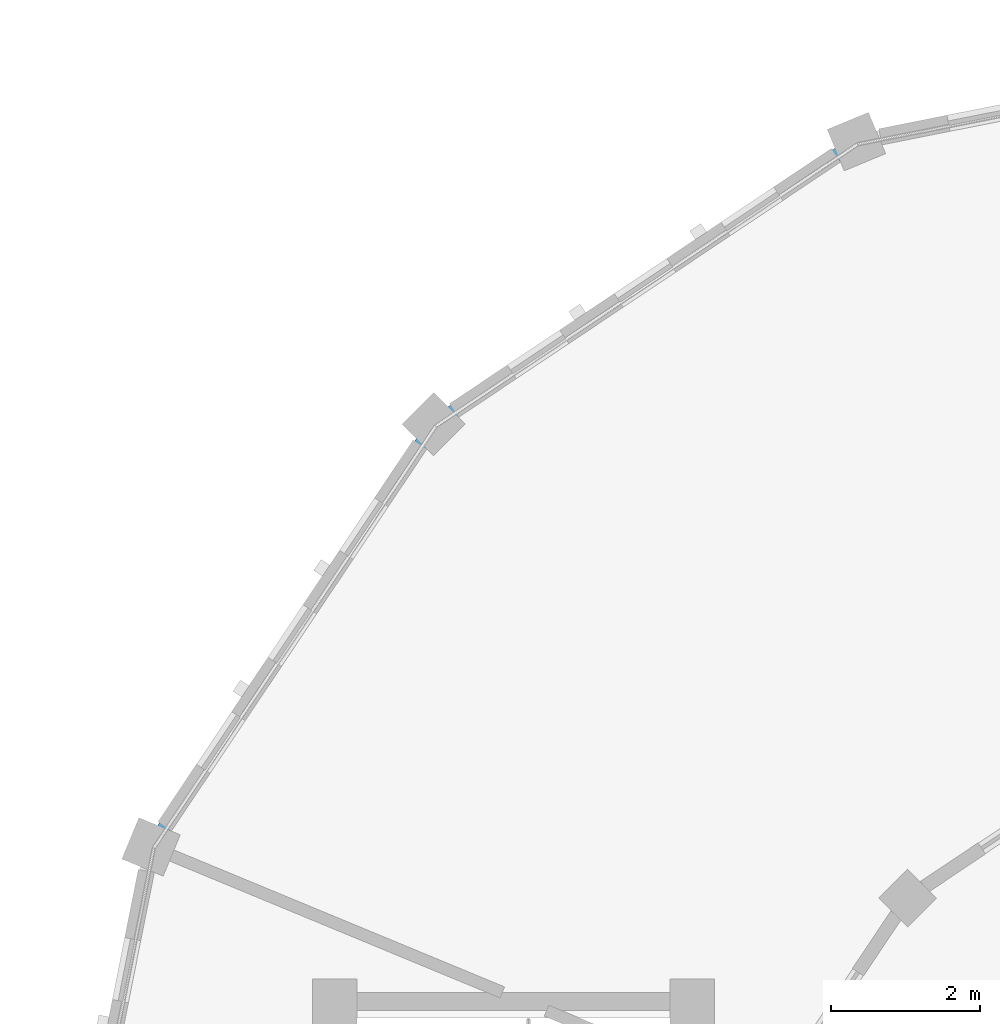
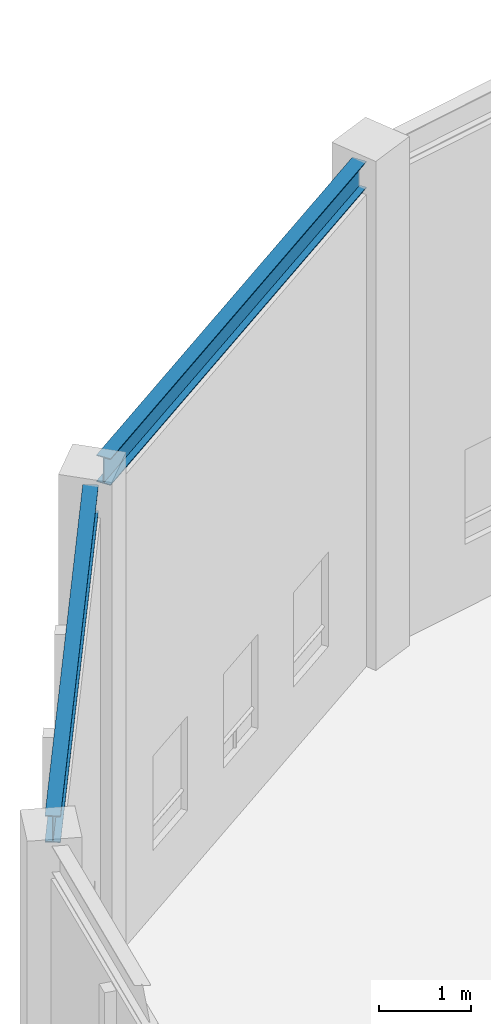
# One storey, part 78 of 149: 2 beams.
"""IFC4 building model written with IfcOpenShell, lengths in metres."""

from ifc_helpers import new_model, si_unit, direction, frame, origin, origin_2d, place, context, subcontext, project, spatial, i_section, extrude, material, material_profile, profile_set, type_object, element, save


model = new_model("IFC4")

# Units and contexts
model_context = context("Model", 3, precision=1e-05, world=origin(), true_north=direction((0.0, 1.0)))
body_context = subcontext(model_context, "Body", "Model", "MODEL_VIEW")
ifc_project = project(units=[si_unit("LENGTHUNIT", "METRE"), si_unit("AREAUNIT", "SQUARE_METRE"), si_unit("VOLUMEUNIT", "CUBIC_METRE"), si_unit("PLANEANGLEUNIT", "RADIAN"), si_unit("MASSUNIT", "GRAM", prefix="KILO")], contexts=[model_context])

# Site, building, storey
site_placement = place(None, origin())
site = spatial("IfcSite", under=ifc_project, at=site_placement, CompositionType="ELEMENT")
building_placement = place(site_placement, origin())
building = spatial("IfcBuilding", under=site, at=building_placement, Name="Celadon Cloister-Ring School", CompositionType="ELEMENT")
storey_placement = place(building_placement, frame((0.0, 0.0, 12.5)))
storey = spatial("IfcBuildingStorey", under=building, at=storey_placement, Name="L03", CompositionType="ELEMENT", Elevation=12.5)

# Beams
ifc_material = material(Name="Structural steel S355JR", Category="steel")
ifc_material_profile = material_profile(ifc_material, i_section(OverallWidth=0.1708984375, OverallDepth=0.35498046875, WebThickness=0.007080078125, FlangeThickness=0.01171875, at=origin_2d()), Name="W360X51")
ifc_profile_set = profile_set([ifc_material_profile], Name="Structural steel S355JR")
beam_type = type_object("IfcBeamType", Name="SP-04", PredefinedType="SPANDREL", material=ifc_profile_set)
beam_1_placement = place(storey_placement, frame((13.27392578125, 113.014892578125, 6.472900390625), z_axis=(-0.831427473898, -0.555633292422, 0.0), x_axis=(0.555633292422, -0.831427473898, 0.0)))
element("IfcBeam", 1, at=beam_1_placement, inside=storey, type_object=beam_type, Name="Beam 0822", PredefinedType="SPANDREL", context=body_context, shape_type="SweptSolid", body=[
    extrude(i_section(OverallWidth=0.1708984375, OverallDepth=0.35498046875, WebThickness=0.007080078125, FlangeThickness=0.01171875, at=origin_2d()), origin(), (0.0, 0.0, 1.0), 6.277099609375),
])
beam_2_placement = place(storey_placement, frame((7.673095703125, 109.14501953125, 6.472900390625), z_axis=(-0.555660177561, -0.831409506244, 0.0), x_axis=(0.831409506244, -0.555660177561, 0.0)))
element("IfcBeam", 2, at=beam_2_placement, inside=storey, type_object=beam_type, Name="Beam 0825", PredefinedType="SPANDREL", context=body_context, shape_type="SweptSolid", body=[
    extrude(i_section(OverallWidth=0.1708984375, OverallDepth=0.35498046875, WebThickness=0.007080078125, FlangeThickness=0.01171875, at=origin_2d()), origin(), (0.0, 0.0, 1.0), 6.27734375),
])

save(model, "model.ifc")
